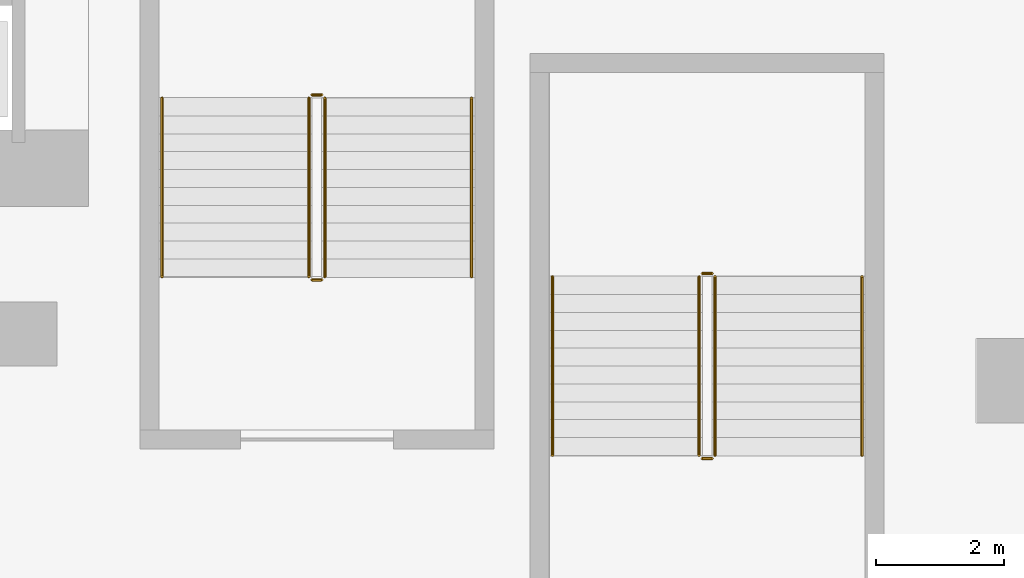
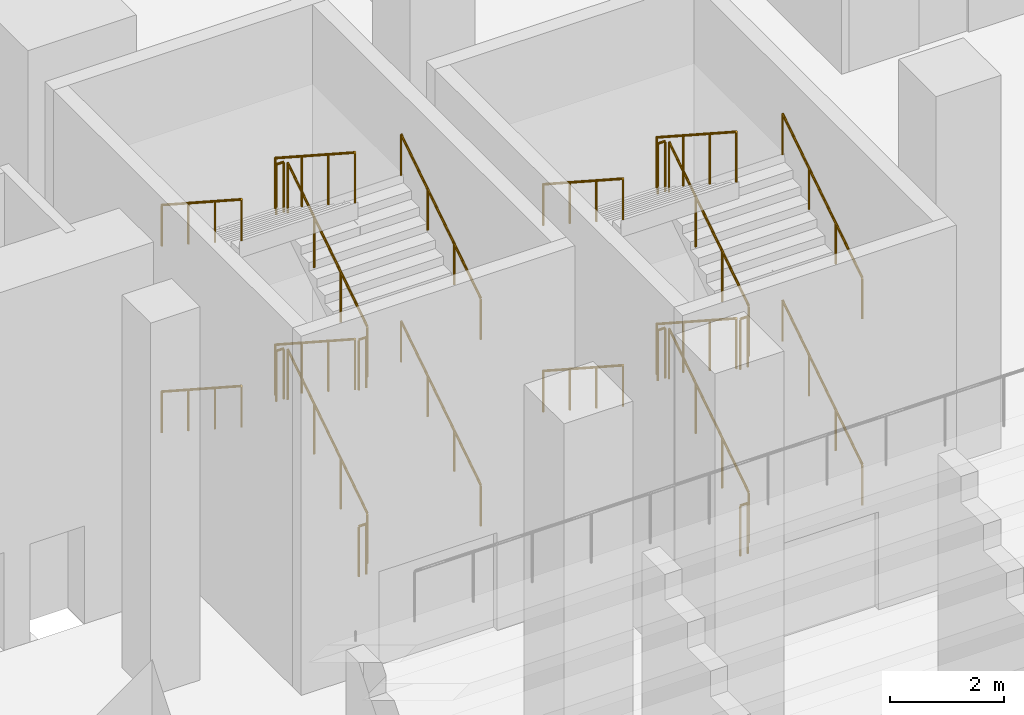
# One storey, part 40 of 41: 24 railings.
"""IFC4 building model written with IfcOpenShell, lengths in metres."""

from ifc_helpers import new_model, si_unit, direction, frame, origin, origin_2d, place, context, subcontext, project, spatial, circle, extrude, material, type_object, element, save


model = new_model("IFC4")

# Units and contexts
model_context = context("Model", 3, precision=1e-05, world=origin(), true_north=direction((0.0, 1.0)))
body_context = subcontext(model_context, "Body", "Model", "MODEL_VIEW")
ifc_project = project(units=[si_unit("LENGTHUNIT", "METRE"), si_unit("AREAUNIT", "SQUARE_METRE"), si_unit("VOLUMEUNIT", "CUBIC_METRE"), si_unit("PLANEANGLEUNIT", "RADIAN"), si_unit("MASSUNIT", "GRAM", prefix="KILO")], contexts=[model_context])

# Site, building, storey
site_placement = place(None, origin())
site = spatial("IfcSite", under=ifc_project, at=site_placement, CompositionType="ELEMENT")
building_placement = place(site_placement, origin())
building = spatial("IfcBuilding", under=site, at=building_placement, Name="Wharfspan Tower", CompositionType="ELEMENT")
storey_placement = place(building_placement, origin())
storey = spatial("IfcBuildingStorey", under=building, at=storey_placement, Name="L00", CompositionType="ELEMENT", Elevation=0.0)

# Railings
ifc_material = material(Name="Steel S355J2", Category="steel")
railing_type_1 = type_object("IfcRailingType", Name="Podium guard 1100", PredefinedType="GUARDRAIL", material=ifc_material)
railing_1_placement = place(storey_placement, frame((68.699951, 32.899902, 0.181885)))
element("IfcRailing", 1, at=railing_1_placement, inside=storey, type_object=railing_type_1, Name="L00 PS4 stair guard 1", PredefinedType="GUARDRAIL", context=body_context, shape_type="SweptSolid", body=[
    extrude(circle(Radius=0.023926, at=origin_2d()), frame((0.0, 0.0, 1.076172), z_axis=(0.0, 0.838706, 0.544585), x_axis=(-1.0, 0.0, 0.0)), (0.0, 0.0, 1.0), 3.338623),
    extrude(circle(Radius=0.020996, at=origin_2d()), origin(), (0.0, 0.0, 1.0), 1.052002),
    extrude(circle(Radius=0.020996, at=origin_2d()), frame((0.0, 0.93335, 0.605957)), (0.0, 0.0, 1.0), 1.052002),
    extrude(circle(Radius=0.020996, at=origin_2d()), frame((0.0, 1.866699, 1.212158)), (0.0, 0.0, 1.0), 1.052002),
    extrude(circle(Radius=0.020996, at=origin_2d()), frame((0.0, 2.800049, 1.818115)), (0.0, 0.0, 1.0), 1.052002),
])
railing_2_placement = place(storey_placement, frame((68.649902, 35.75, 2.0)))
element("IfcRailing", 2, at=railing_2_placement, inside=storey, type_object=railing_type_1, Name="L00 PS4 stair guard 2", PredefinedType="GUARDRAIL", context=body_context, shape_type="SweptSolid", body=[
    extrude(circle(Radius=0.023926, at=origin_2d()), frame((0.0, 0.0, 1.076172), z_axis=(-1.0, 0.0, 0.0), x_axis=(0.0, -1.0, 0.0)), (0.0, 0.0, 1.0), 0.149902),
    extrude(circle(Radius=0.020996, at=origin_2d()), origin(), (0.0, 0.0, 1.0), 1.052002),
    extrude(circle(Radius=0.020996, at=origin_2d()), frame((-0.149902, 0.0, 0.0)), (0.0, 0.0, 1.0), 1.052002),
])
railing_3_placement = place(storey_placement, frame((68.449951, 35.699951, 2.181885)))
element("IfcRailing", 3, at=railing_3_placement, inside=storey, type_object=railing_type_1, Name="L00 PS4 stair guard 3", PredefinedType="GUARDRAIL", context=body_context, shape_type="SweptSolid", body=[
    extrude(circle(Radius=0.023926, at=origin_2d()), frame((0.0, 0.0, 1.076172), z_axis=(0.0, -0.838706, 0.544585), x_axis=(1.0, 0.0, 0.0)), (0.0, 0.0, 1.0), 3.338623),
    extrude(circle(Radius=0.020996, at=origin_2d()), origin(), (0.0, 0.0, 1.0), 1.052002),
    extrude(circle(Radius=0.020996, at=origin_2d()), frame((0.0, -0.93335, 0.605957)), (0.0, 0.0, 1.0), 1.052002),
    extrude(circle(Radius=0.020996, at=origin_2d()), frame((0.0, -1.866699, 1.212158)), (0.0, 0.0, 1.0), 1.052002),
    extrude(circle(Radius=0.020996, at=origin_2d()), frame((0.0, -2.800049, 1.818115)), (0.0, 0.0, 1.0), 1.052002),
])
railing_4_placement = place(storey_placement, frame((68.649902, 32.850098, 4.0)))
element("IfcRailing", 4, at=railing_4_placement, inside=storey, type_object=railing_type_1, Name="L00 PS4 stair guard 4", PredefinedType="GUARDRAIL", context=body_context, shape_type="SweptSolid", body=[
    extrude(circle(Radius=0.023926, at=origin_2d()), frame((0.0, 0.0, 1.076172), z_axis=(-1.0, 0.0, 0.0), x_axis=(0.0, -1.0, 0.0)), (0.0, 0.0, 1.0), 0.149902),
    extrude(circle(Radius=0.020996, at=origin_2d()), origin(), (0.0, 0.0, 1.0), 1.052002),
    extrude(circle(Radius=0.020996, at=origin_2d()), frame((-0.149902, 0.0, 0.0)), (0.0, 0.0, 1.0), 1.052002),
])
railing_5_placement = place(storey_placement, frame((68.699951, 32.899902, 4.181885)))
element("IfcRailing", 5, at=railing_5_placement, inside=storey, type_object=railing_type_1, Name="L00 PS4 stair guard 5", PredefinedType="GUARDRAIL", context=body_context, shape_type="SweptSolid", body=[
    extrude(circle(Radius=0.023926, at=origin_2d()), frame((0.0, 0.0, 1.076172), z_axis=(0.0, 0.838706, 0.544585), x_axis=(-1.0, 0.0, 0.0)), (0.0, 0.0, 1.0), 3.338623),
    extrude(circle(Radius=0.020996, at=origin_2d()), origin(), (0.0, 0.0, 1.0), 1.052002),
    extrude(circle(Radius=0.020996, at=origin_2d()), frame((0.0, 0.93335, 0.605957)), (0.0, 0.0, 1.0), 1.052002),
    extrude(circle(Radius=0.020996, at=origin_2d()), frame((0.0, 1.866699, 1.212158)), (0.0, 0.0, 1.0), 1.052002),
    extrude(circle(Radius=0.020996, at=origin_2d()), frame((0.0, 2.800049, 1.818115)), (0.0, 0.0, 1.0), 1.052002),
])
railing_6_placement = place(storey_placement, frame((68.649902, 35.75, 6.0)))
element("IfcRailing", 6, at=railing_6_placement, inside=storey, type_object=railing_type_1, Name="L00 PS4 stair guard 6", PredefinedType="GUARDRAIL", context=body_context, shape_type="SweptSolid", body=[
    extrude(circle(Radius=0.023926, at=origin_2d()), frame((0.0, 0.0, 1.076172), z_axis=(-1.0, 0.0, 0.0), x_axis=(0.0, -1.0, 0.0)), (0.0, 0.0, 1.0), 0.149902),
    extrude(circle(Radius=0.020996, at=origin_2d()), origin(), (0.0, 0.0, 1.0), 1.052002),
    extrude(circle(Radius=0.020996, at=origin_2d()), frame((-0.149902, 0.0, 0.0)), (0.0, 0.0, 1.0), 1.052002),
])
railing_7_placement = place(storey_placement, frame((68.449951, 35.699951, 6.181885)))
element("IfcRailing", 7, at=railing_7_placement, inside=storey, type_object=railing_type_1, Name="L00 PS4 stair guard 7", PredefinedType="GUARDRAIL", context=body_context, shape_type="SweptSolid", body=[
    extrude(circle(Radius=0.023926, at=origin_2d()), frame((0.0, 0.0, 1.076172), z_axis=(0.0, -0.838706, 0.544585), x_axis=(1.0, 0.0, 0.0)), (0.0, 0.0, 1.0), 3.338623),
    extrude(circle(Radius=0.020996, at=origin_2d()), origin(), (0.0, 0.0, 1.0), 1.052002),
    extrude(circle(Radius=0.020996, at=origin_2d()), frame((0.0, -0.93335, 0.605957)), (0.0, 0.0, 1.0), 1.052002),
    extrude(circle(Radius=0.020996, at=origin_2d()), frame((0.0, -1.866699, 1.212158)), (0.0, 0.0, 1.0), 1.052002),
    extrude(circle(Radius=0.020996, at=origin_2d()), frame((0.0, -2.800049, 1.818115)), (0.0, 0.0, 1.0), 1.052002),
])
railing_8_placement = place(storey_placement, frame((68.649902, 32.850098, 0.0)))
element("IfcRailing", 8, at=railing_8_placement, inside=storey, type_object=railing_type_1, Name="L00 PS4 stair guard 8", PredefinedType="GUARDRAIL", context=body_context, shape_type="SweptSolid", body=[
    extrude(circle(Radius=0.023926, at=origin_2d()), frame((0.0, 0.0, 1.076172), z_axis=(-1.0, 0.0, 0.0), x_axis=(0.0, -1.0, 0.0)), (0.0, 0.0, 1.0), 0.149902),
    extrude(circle(Radius=0.020996, at=origin_2d()), origin(), (0.0, 0.0, 1.0), 1.052002),
    extrude(circle(Radius=0.020996, at=origin_2d()), frame((-0.149902, 0.0, 0.0)), (0.0, 0.0, 1.0), 1.052002),
])
railing_9_placement = place(storey_placement, frame((74.817383, 30.100098, 0.181885)))
element("IfcRailing", 9, at=railing_9_placement, inside=storey, type_object=railing_type_1, Name="L00 PS5 stair guard 1", PredefinedType="GUARDRAIL", context=body_context, shape_type="SweptSolid", body=[
    extrude(circle(Radius=0.023926, at=origin_2d()), frame((0.0, 0.0, 1.076172), z_axis=(0.0, 0.838684, 0.544618), x_axis=(-1.0, 0.0, 0.0)), (0.0, 0.0, 1.0), 3.338379),
    extrude(circle(Radius=0.020996, at=origin_2d()), origin(), (0.0, 0.0, 1.0), 1.052002),
    extrude(circle(Radius=0.020996, at=origin_2d()), frame((0.0, 0.93335, 0.605957)), (0.0, 0.0, 1.0), 1.052002),
    extrude(circle(Radius=0.020996, at=origin_2d()), frame((0.0, 1.866455, 1.212158)), (0.0, 0.0, 1.0), 1.052002),
    extrude(circle(Radius=0.020996, at=origin_2d()), frame((0.0, 2.799805, 1.818115)), (0.0, 0.0, 1.0), 1.052002),
])
railing_10_placement = place(storey_placement, frame((74.767578, 32.949951, 2.0)))
element("IfcRailing", 10, at=railing_10_placement, inside=storey, type_object=railing_type_1, Name="L00 PS5 stair guard 2", PredefinedType="GUARDRAIL", context=body_context, shape_type="SweptSolid", body=[
    extrude(circle(Radius=0.023926, at=origin_2d()), frame((0.0, 0.0, 1.076172), z_axis=(-1.0, 0.0, 0.0), x_axis=(0.0, -1.0, 0.0)), (0.0, 0.0, 1.0), 0.150146),
    extrude(circle(Radius=0.020996, at=origin_2d()), origin(), (0.0, 0.0, 1.0), 1.052002),
    extrude(circle(Radius=0.020996, at=origin_2d()), frame((-0.150146, 0.0, 0.0)), (0.0, 0.0, 1.0), 1.052002),
])
railing_11_placement = place(storey_placement, frame((74.567383, 32.899902, 2.181885)))
element("IfcRailing", 11, at=railing_11_placement, inside=storey, type_object=railing_type_1, Name="L00 PS5 stair guard 3", PredefinedType="GUARDRAIL", context=body_context, shape_type="SweptSolid", body=[
    extrude(circle(Radius=0.023926, at=origin_2d()), frame((0.0, 0.0, 1.076172), z_axis=(0.0, -0.838684, 0.544618), x_axis=(1.0, 0.0, 0.0)), (0.0, 0.0, 1.0), 3.338379),
    extrude(circle(Radius=0.020996, at=origin_2d()), origin(), (0.0, 0.0, 1.0), 1.052002),
    extrude(circle(Radius=0.020996, at=origin_2d()), frame((0.0, -0.93335, 0.605957)), (0.0, 0.0, 1.0), 1.052002),
    extrude(circle(Radius=0.020996, at=origin_2d()), frame((0.0, -1.866455, 1.212158)), (0.0, 0.0, 1.0), 1.052002),
    extrude(circle(Radius=0.020996, at=origin_2d()), frame((0.0, -2.799805, 1.818115)), (0.0, 0.0, 1.0), 1.052002),
])
railing_12_placement = place(storey_placement, frame((74.767578, 30.050049, 4.0)))
element("IfcRailing", 12, at=railing_12_placement, inside=storey, type_object=railing_type_1, Name="L00 PS5 stair guard 4", PredefinedType="GUARDRAIL", context=body_context, shape_type="SweptSolid", body=[
    extrude(circle(Radius=0.023926, at=origin_2d()), frame((0.0, 0.0, 1.076172), z_axis=(-1.0, 0.0, 0.0), x_axis=(0.0, -1.0, 0.0)), (0.0, 0.0, 1.0), 0.150146),
    extrude(circle(Radius=0.020996, at=origin_2d()), origin(), (0.0, 0.0, 1.0), 1.052002),
    extrude(circle(Radius=0.020996, at=origin_2d()), frame((-0.150146, 0.0, 0.0)), (0.0, 0.0, 1.0), 1.052002),
])
railing_13_placement = place(storey_placement, frame((74.817383, 30.100098, 4.181885)))
element("IfcRailing", 13, at=railing_13_placement, inside=storey, type_object=railing_type_1, Name="L00 PS5 stair guard 5", PredefinedType="GUARDRAIL", context=body_context, shape_type="SweptSolid", body=[
    extrude(circle(Radius=0.023926, at=origin_2d()), frame((0.0, 0.0, 1.076172), z_axis=(0.0, 0.838684, 0.544618), x_axis=(-1.0, 0.0, 0.0)), (0.0, 0.0, 1.0), 3.338379),
    extrude(circle(Radius=0.020996, at=origin_2d()), origin(), (0.0, 0.0, 1.0), 1.052002),
    extrude(circle(Radius=0.020996, at=origin_2d()), frame((0.0, 0.93335, 0.605957)), (0.0, 0.0, 1.0), 1.052002),
    extrude(circle(Radius=0.020996, at=origin_2d()), frame((0.0, 1.866455, 1.212158)), (0.0, 0.0, 1.0), 1.052002),
    extrude(circle(Radius=0.020996, at=origin_2d()), frame((0.0, 2.799805, 1.818115)), (0.0, 0.0, 1.0), 1.052002),
])
railing_14_placement = place(storey_placement, frame((74.767578, 32.949951, 6.0)))
element("IfcRailing", 14, at=railing_14_placement, inside=storey, type_object=railing_type_1, Name="L00 PS5 stair guard 6", PredefinedType="GUARDRAIL", context=body_context, shape_type="SweptSolid", body=[
    extrude(circle(Radius=0.023926, at=origin_2d()), frame((0.0, 0.0, 1.076172), z_axis=(-1.0, 0.0, 0.0), x_axis=(0.0, -1.0, 0.0)), (0.0, 0.0, 1.0), 0.150146),
    extrude(circle(Radius=0.020996, at=origin_2d()), origin(), (0.0, 0.0, 1.0), 1.052002),
    extrude(circle(Radius=0.020996, at=origin_2d()), frame((-0.150146, 0.0, 0.0)), (0.0, 0.0, 1.0), 1.052002),
])
railing_15_placement = place(storey_placement, frame((74.567383, 32.899902, 6.181885)))
element("IfcRailing", 15, at=railing_15_placement, inside=storey, type_object=railing_type_1, Name="L00 PS5 stair guard 7", PredefinedType="GUARDRAIL", context=body_context, shape_type="SweptSolid", body=[
    extrude(circle(Radius=0.023926, at=origin_2d()), frame((0.0, 0.0, 1.076172), z_axis=(0.0, -0.838684, 0.544618), x_axis=(1.0, 0.0, 0.0)), (0.0, 0.0, 1.0), 3.338379),
    extrude(circle(Radius=0.020996, at=origin_2d()), origin(), (0.0, 0.0, 1.0), 1.052002),
    extrude(circle(Radius=0.020996, at=origin_2d()), frame((0.0, -0.93335, 0.605957)), (0.0, 0.0, 1.0), 1.052002),
    extrude(circle(Radius=0.020996, at=origin_2d()), frame((0.0, -1.866455, 1.212158)), (0.0, 0.0, 1.0), 1.052002),
    extrude(circle(Radius=0.020996, at=origin_2d()), frame((0.0, -2.799805, 1.818115)), (0.0, 0.0, 1.0), 1.052002),
])
railing_16_placement = place(storey_placement, frame((74.767578, 30.050049, 0.0)))
element("IfcRailing", 16, at=railing_16_placement, inside=storey, type_object=railing_type_1, Name="L00 PS5 stair guard 8", PredefinedType="GUARDRAIL", context=body_context, shape_type="SweptSolid", body=[
    extrude(circle(Radius=0.023926, at=origin_2d()), frame((0.0, 0.0, 1.076172), z_axis=(-1.0, 0.0, 0.0), x_axis=(0.0, -1.0, 0.0)), (0.0, 0.0, 1.0), 0.150146),
    extrude(circle(Radius=0.020996, at=origin_2d()), origin(), (0.0, 0.0, 1.0), 1.052002),
    extrude(circle(Radius=0.020996, at=origin_2d()), frame((-0.150146, 0.0, 0.0)), (0.0, 0.0, 1.0), 1.052002),
])
railing_type_2 = type_object("IfcRailingType", Name="Podium stair handrail 900", PredefinedType="HANDRAIL", material=ifc_material)
railing_17_placement = place(storey_placement, frame((71.0, 32.899902, 0.181885)))
element("IfcRailing", 17, at=railing_17_placement, inside=storey, type_object=railing_type_2, Name="L00 PS4 stair handrail 1", PredefinedType="HANDRAIL", context=body_context, shape_type="SweptSolid", body=[
    extrude(circle(Radius=0.023926, at=origin_2d()), frame((0.0, 0.0, 0.875977), z_axis=(0.0, 0.838706, 0.544585), x_axis=(-1.0, 0.0, 0.0)), (0.0, 0.0, 1.0), 3.338623),
    extrude(circle(Radius=0.020996, at=origin_2d()), origin(), (0.0, 0.0, 1.0), 0.851807),
    extrude(circle(Radius=0.020996, at=origin_2d()), frame((0.0, 0.93335, 0.605957)), (0.0, 0.0, 1.0), 0.851807),
    extrude(circle(Radius=0.020996, at=origin_2d()), frame((0.0, 1.866699, 1.212158)), (0.0, 0.0, 1.0), 0.851807),
    extrude(circle(Radius=0.020996, at=origin_2d()), frame((0.0, 2.800049, 1.818115)), (0.0, 0.0, 1.0), 0.851807),
])
railing_18_placement = place(storey_placement, frame((66.149902, 35.699951, 2.181885)))
element("IfcRailing", 18, at=railing_18_placement, inside=storey, type_object=railing_type_2, Name="L00 PS4 stair handrail 2", PredefinedType="HANDRAIL", context=body_context, shape_type="SweptSolid", body=[
    extrude(circle(Radius=0.023926, at=origin_2d()), frame((0.0, 0.0, 0.875977), z_axis=(0.0, -0.838706, 0.544585), x_axis=(1.0, 0.0, 0.0)), (0.0, 0.0, 1.0), 3.338623),
    extrude(circle(Radius=0.020996, at=origin_2d()), origin(), (0.0, 0.0, 1.0), 0.851807),
    extrude(circle(Radius=0.020996, at=origin_2d()), frame((0.0, -0.93335, 0.605957)), (0.0, 0.0, 1.0), 0.851807),
    extrude(circle(Radius=0.020996, at=origin_2d()), frame((0.0, -1.866699, 1.212158)), (0.0, 0.0, 1.0), 0.851807),
    extrude(circle(Radius=0.020996, at=origin_2d()), frame((0.0, -2.800049, 1.818115)), (0.0, 0.0, 1.0), 0.851807),
])
railing_19_placement = place(storey_placement, frame((71.0, 32.899902, 4.181885)))
element("IfcRailing", 19, at=railing_19_placement, inside=storey, type_object=railing_type_2, Name="L00 PS4 stair handrail 3", PredefinedType="HANDRAIL", context=body_context, shape_type="SweptSolid", body=[
    extrude(circle(Radius=0.023926, at=origin_2d()), frame((0.0, 0.0, 0.875977), z_axis=(0.0, 0.838706, 0.544585), x_axis=(-1.0, 0.0, 0.0)), (0.0, 0.0, 1.0), 3.338623),
    extrude(circle(Radius=0.020996, at=origin_2d()), origin(), (0.0, 0.0, 1.0), 0.851807),
    extrude(circle(Radius=0.020996, at=origin_2d()), frame((0.0, 0.93335, 0.605957)), (0.0, 0.0, 1.0), 0.851807),
    extrude(circle(Radius=0.020996, at=origin_2d()), frame((0.0, 1.866699, 1.212158)), (0.0, 0.0, 1.0), 0.851807),
    extrude(circle(Radius=0.020996, at=origin_2d()), frame((0.0, 2.800049, 1.818115)), (0.0, 0.0, 1.0), 0.851807),
])
railing_20_placement = place(storey_placement, frame((66.149902, 35.699951, 6.181885)))
element("IfcRailing", 20, at=railing_20_placement, inside=storey, type_object=railing_type_2, Name="L00 PS4 stair handrail 4", PredefinedType="HANDRAIL", context=body_context, shape_type="SweptSolid", body=[
    extrude(circle(Radius=0.023926, at=origin_2d()), frame((0.0, 0.0, 0.875977), z_axis=(0.0, -0.838706, 0.544585), x_axis=(1.0, 0.0, 0.0)), (0.0, 0.0, 1.0), 3.338623),
    extrude(circle(Radius=0.020996, at=origin_2d()), origin(), (0.0, 0.0, 1.0), 0.851807),
    extrude(circle(Radius=0.020996, at=origin_2d()), frame((0.0, -0.93335, 0.605957)), (0.0, 0.0, 1.0), 0.851807),
    extrude(circle(Radius=0.020996, at=origin_2d()), frame((0.0, -1.866699, 1.212158)), (0.0, 0.0, 1.0), 0.851807),
    extrude(circle(Radius=0.020996, at=origin_2d()), frame((0.0, -2.800049, 1.818115)), (0.0, 0.0, 1.0), 0.851807),
])
railing_21_placement = place(storey_placement, frame((77.117432, 30.100098, 0.181885)))
element("IfcRailing", 21, at=railing_21_placement, inside=storey, type_object=railing_type_2, Name="L00 PS5 stair handrail 1", PredefinedType="HANDRAIL", context=body_context, shape_type="SweptSolid", body=[
    extrude(circle(Radius=0.023926, at=origin_2d()), frame((0.0, 0.0, 0.875977), z_axis=(0.0, 0.838684, 0.544618), x_axis=(-1.0, 0.0, 0.0)), (0.0, 0.0, 1.0), 3.338379),
    extrude(circle(Radius=0.020996, at=origin_2d()), origin(), (0.0, 0.0, 1.0), 0.851807),
    extrude(circle(Radius=0.020996, at=origin_2d()), frame((0.0, 0.93335, 0.605957)), (0.0, 0.0, 1.0), 0.851807),
    extrude(circle(Radius=0.020996, at=origin_2d()), frame((0.0, 1.866455, 1.212158)), (0.0, 0.0, 1.0), 0.851807),
    extrude(circle(Radius=0.020996, at=origin_2d()), frame((0.0, 2.799805, 1.818115)), (0.0, 0.0, 1.0), 0.851807),
])
railing_22_placement = place(storey_placement, frame((72.267578, 32.899902, 2.181885)))
element("IfcRailing", 22, at=railing_22_placement, inside=storey, type_object=railing_type_2, Name="L00 PS5 stair handrail 2", PredefinedType="HANDRAIL", context=body_context, shape_type="SweptSolid", body=[
    extrude(circle(Radius=0.023926, at=origin_2d()), frame((0.0, 0.0, 0.875977), z_axis=(0.0, -0.838684, 0.544618), x_axis=(1.0, 0.0, 0.0)), (0.0, 0.0, 1.0), 3.338379),
    extrude(circle(Radius=0.020996, at=origin_2d()), origin(), (0.0, 0.0, 1.0), 0.851807),
    extrude(circle(Radius=0.020996, at=origin_2d()), frame((0.0, -0.93335, 0.605957)), (0.0, 0.0, 1.0), 0.851807),
    extrude(circle(Radius=0.020996, at=origin_2d()), frame((0.0, -1.866455, 1.212158)), (0.0, 0.0, 1.0), 0.851807),
    extrude(circle(Radius=0.020996, at=origin_2d()), frame((0.0, -2.799805, 1.818115)), (0.0, 0.0, 1.0), 0.851807),
])
railing_23_placement = place(storey_placement, frame((77.117432, 30.100098, 4.181885)))
element("IfcRailing", 23, at=railing_23_placement, inside=storey, type_object=railing_type_2, Name="L00 PS5 stair handrail 3", PredefinedType="HANDRAIL", context=body_context, shape_type="SweptSolid", body=[
    extrude(circle(Radius=0.023926, at=origin_2d()), frame((0.0, 0.0, 0.875977), z_axis=(0.0, 0.838684, 0.544618), x_axis=(-1.0, 0.0, 0.0)), (0.0, 0.0, 1.0), 3.338379),
    extrude(circle(Radius=0.020996, at=origin_2d()), origin(), (0.0, 0.0, 1.0), 0.851807),
    extrude(circle(Radius=0.020996, at=origin_2d()), frame((0.0, 0.93335, 0.605957)), (0.0, 0.0, 1.0), 0.851807),
    extrude(circle(Radius=0.020996, at=origin_2d()), frame((0.0, 1.866455, 1.212158)), (0.0, 0.0, 1.0), 0.851807),
    extrude(circle(Radius=0.020996, at=origin_2d()), frame((0.0, 2.799805, 1.818115)), (0.0, 0.0, 1.0), 0.851807),
])
railing_24_placement = place(storey_placement, frame((72.267578, 32.899902, 6.181885)))
element("IfcRailing", 24, at=railing_24_placement, inside=storey, type_object=railing_type_2, Name="L00 PS5 stair handrail 4", PredefinedType="HANDRAIL", context=body_context, shape_type="SweptSolid", body=[
    extrude(circle(Radius=0.023926, at=origin_2d()), frame((0.0, 0.0, 0.875977), z_axis=(0.0, -0.838684, 0.544618), x_axis=(1.0, 0.0, 0.0)), (0.0, 0.0, 1.0), 3.338379),
    extrude(circle(Radius=0.020996, at=origin_2d()), origin(), (0.0, 0.0, 1.0), 0.851807),
    extrude(circle(Radius=0.020996, at=origin_2d()), frame((0.0, -0.93335, 0.605957)), (0.0, 0.0, 1.0), 0.851807),
    extrude(circle(Radius=0.020996, at=origin_2d()), frame((0.0, -1.866455, 1.212158)), (0.0, 0.0, 1.0), 0.851807),
    extrude(circle(Radius=0.020996, at=origin_2d()), frame((0.0, -2.799805, 1.818115)), (0.0, 0.0, 1.0), 0.851807),
])

save(model, "model.ifc")
